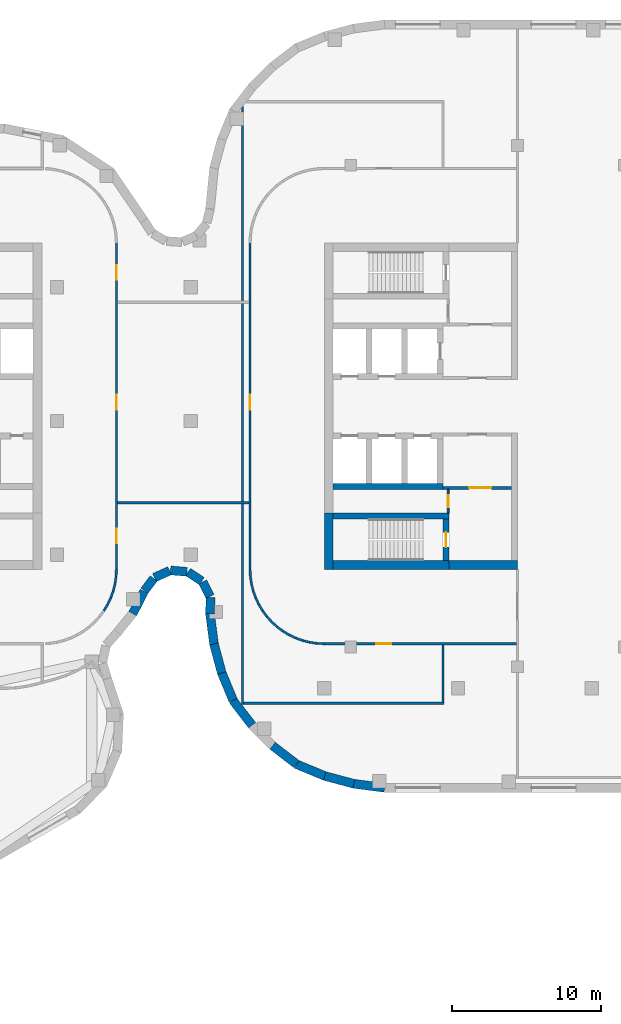
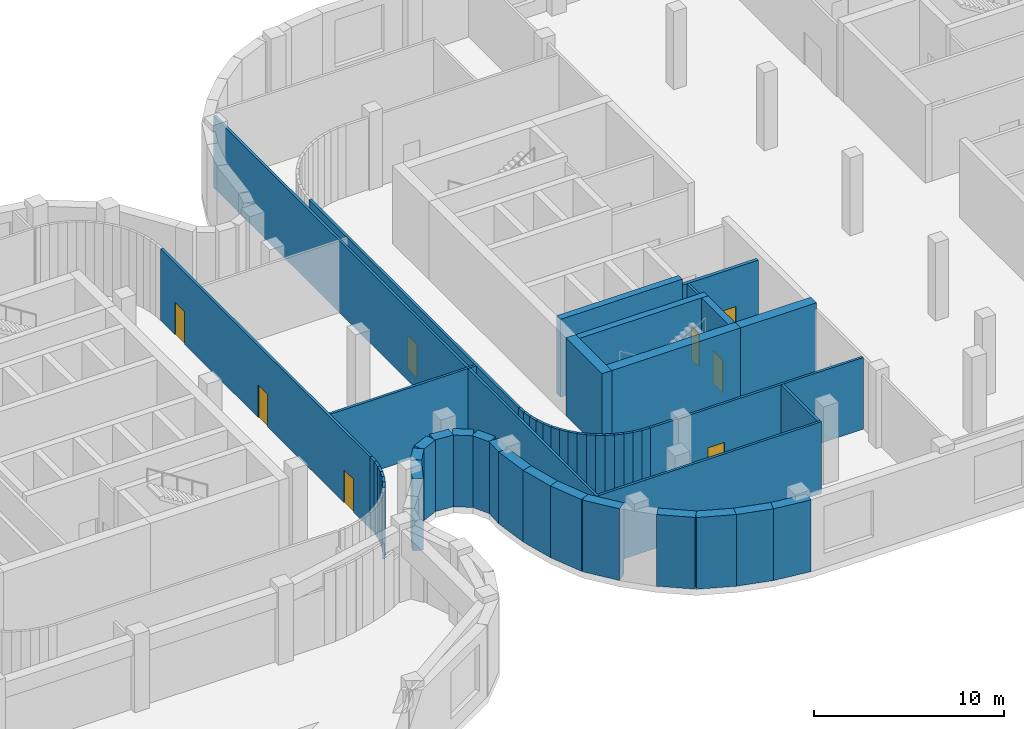
# One storey, part 10 of 20: 52 walls, 8 doors, 8 openings.
"""IFC4 building model written with IfcOpenShell, lengths in metres."""

from ifc_helpers import new_model, si_unit, direction, frame, frame_2d, origin, place, context, subcontext, project, spatial, rectangle, extrude, material, layer, layer_set, type_object, element, fill, save


model = new_model("IFC4")

# Units and contexts
model_context = context("Model", 3, precision=1e-05, world=origin(), true_north=direction((0.0, 1.0)))
body_context = subcontext(model_context, "Body", "Model", "MODEL_VIEW")
ifc_project = project(units=[si_unit("LENGTHUNIT", "METRE"), si_unit("AREAUNIT", "SQUARE_METRE"), si_unit("VOLUMEUNIT", "CUBIC_METRE"), si_unit("PLANEANGLEUNIT", "RADIAN"), si_unit("MASSUNIT", "GRAM", prefix="KILO")], contexts=[model_context])

# Site, building, storey
site_placement = place(None, origin())
site = spatial("IfcSite", under=ifc_project, at=site_placement, CompositionType="ELEMENT")
building_placement = place(site_placement, origin())
building = spatial("IfcBuilding", under=site, at=building_placement, Name="Skarvind Civic Tower", CompositionType="ELEMENT")
storey_placement = place(building_placement, frame((0.0, 0.0, 17.5)))
storey = spatial("IfcBuildingStorey", under=building, at=storey_placement, Name="L03", CompositionType="ELEMENT", Elevation=17.5)

# Wall, opening, door
ifc_material_1 = material(Name="Fire-rated masonry partition", Category="masonry")
ifc_layer_1 = layer(ifc_material_1, 0.199951171875)
ifc_layer_set_1 = layer_set([ifc_layer_1], Name="Core enclosure wall 200")
wall_type_1 = type_object("IfcWallType", Name="Core enclosure wall 200", PredefinedType="PARTITIONING", material=ifc_layer_set_1)
wall_1_placement = place(storey_placement, frame((139.60009765625, 122.5, 0.0), z_axis=(0.0, 0.0, 1.0), x_axis=(-1.0, 0.0, 0.0)))
wall_1 = element("IfcWall", 1, at=wall_1_placement, inside=storey, type_object=wall_type_1, Name="Core wall CA", PredefinedType="PARTITIONING", context=body_context, shape_type="SweptSolid", body=[
    extrude(rectangle(XDim=4.60009765625, YDim=0.199951171875, at=frame_2d((2.300048828125, 0.0))), origin(), (0.0, 0.0, 1.0), 4.60009765625),
])
opening_1_placement = place(wall_1_placement, frame((1.35009765625, 0.0, 0.0)))
opening_1 = element("IfcOpeningElement", 2, at=opening_1_placement, cuts=wall_1, Name="Opening D-L03-CA-11", PredefinedType="OPENING", context=body_context, shape_type="SweptSolid", body=[
    extrude(rectangle(XDim=1.5, YDim=2.10009765625, at=frame_2d((0.75, 1.050048828125))), frame((0.0, 0.10986328125, 0.0), z_axis=(0.0, -1.0, 0.0), x_axis=(1.0, 0.0, 0.0)), (0.0, 0.0, 1.0), 0.219970703125),
])
ifc_material_2 = material(Name="Fire-rated steel door", Category="steel")
door_type_1 = type_object("IfcDoorType", Name="Fire door 1500", OperationType="NOTDEFINED", PredefinedType="DOOR", material=ifc_material_2)
door_1_placement = place(opening_1_placement, origin())
door_1 = element("IfcDoor", 3, at=door_1_placement, inside=storey, type_object=door_type_1, Name="Fire door", OperationType="DOUBLE_DOOR_SINGLE_SWING", OverallHeight=2.10009765625, OverallWidth=1.5, PredefinedType="DOOR", context=body_context, shape_type="SweptSolid", body=[
    extrude(rectangle(XDim=1.5, YDim=2.10009765625, at=frame_2d((0.75, 1.050048828125))), frame((0.0, 0.02490234375, 0.0), z_axis=(0.0, -1.0, 0.0), x_axis=(1.0, 0.0, 0.0)), (0.0, 0.0, 1.0), 0.050048828125),
])
fill(opening_1, door_1)

# Wall
ifc_material_3 = material(Name="Concrete C80", Category="concrete")
ifc_layer_2 = layer(ifc_material_3, 0.39990234375)
ifc_layer_set_2 = layer_set([ifc_layer_2], Name="Core wall 400 C80")
wall_type_2 = type_object("IfcWallType", Name="Core wall 400 C80", PredefinedType="SHEAR", material=ifc_layer_set_2)
wall_2_placement = place(storey_placement, frame((127.60009765625, 120.60009765625, 0.0), z_axis=(0.0, 0.0, 1.0), x_axis=(1.0, 0.0, 0.0)))
element("IfcWall", 4, at=wall_2_placement, inside=storey, type_object=wall_type_2, Name="Core wall CA south stair inner L03", PredefinedType="SHEAR", context=body_context, shape_type="SweptSolid", body=[
    extrude(rectangle(XDim=7.7998046875, YDim=0.39990234375, at=frame_2d((3.89990234375, 0.0))), origin(), (0.0, 0.0, 1.0), 5.0),
])

# Wall, opening, door
wall_3_placement = place(storey_placement, frame((135.199951171875, 117.60009765625, 0.0), z_axis=(0.0, 0.0, 1.0), x_axis=(0.0, 1.0, 0.0)))
wall_3 = element("IfcWall", 5, at=wall_3_placement, inside=storey, type_object=wall_type_2, Name="Core wall CA south stair end L03", PredefinedType="SHEAR", context=body_context, shape_type="SweptSolid", body=[
    extrude(rectangle(XDim=2.7998046875, YDim=0.39990234375, at=frame_2d((1.39990234375, 0.0))), origin(), (0.0, 0.0, 1.0), 5.0),
])
opening_2_placement = place(wall_3_placement, frame((0.89990234375, 0.0, 0.0)))
opening_2 = element("IfcOpeningElement", 6, at=opening_2_placement, cuts=wall_3, Name="Opening D-L03-CA-12", PredefinedType="OPENING", context=body_context, shape_type="SweptSolid", body=[
    extrude(rectangle(XDim=1.0, YDim=2.10009765625, at=frame_2d((0.5, 1.050048828125))), frame((0.0, 0.2099609375, 0.0), z_axis=(0.0, -1.0, 0.0), x_axis=(1.0, 0.0, 0.0)), (0.0, 0.0, 1.0), 0.419921875),
])
door_type_2 = type_object("IfcDoorType", Name="Fire door 1000", OperationType="NOTDEFINED", PredefinedType="DOOR", material=ifc_material_2)
door_2_placement = place(opening_2_placement, origin())
door_2 = element("IfcDoor", 7, at=door_2_placement, inside=storey, type_object=door_type_2, Name="Fire door", OperationType="SINGLE_SWING_RIGHT", OverallHeight=2.10009765625, OverallWidth=1.0, PredefinedType="DOOR", context=body_context, shape_type="SweptSolid", body=[
    extrude(rectangle(XDim=1.0, YDim=2.10009765625, at=frame_2d((0.5, 1.050048828125))), frame((0.0, 0.02490234375, 0.0), z_axis=(0.0, -1.0, 0.0), x_axis=(1.0, 0.0, 0.0)), (0.0, 0.0, 1.0), 0.050048828125),
])
fill(opening_2, door_2)

# Walls
wall_4_placement = place(storey_placement, frame((127.60009765625, 122.60009765625, 0.0), z_axis=(0.0, 0.0, 1.0), x_axis=(1.0, 0.0, 0.0)))
element("IfcWall", 8, at=wall_4_placement, inside=storey, type_object=wall_type_2, Name="Core wall CA south lift row back L03", PredefinedType="SHEAR", context=body_context, shape_type="SweptSolid", body=[
    extrude(rectangle(XDim=7.39990234375, YDim=0.39990234375, at=frame_2d((3.699951171875, 0.0))), origin(), (0.0, 0.0, 1.0), 5.0),
])
ifc_layer_3 = layer(ifc_material_3, 0.60009765625)
ifc_layer_set_3 = layer_set([ifc_layer_3], Name="Core wall 600 C80")
wall_type_3 = type_object("IfcWallType", Name="Core wall 600 C80", PredefinedType="SHEAR", material=ifc_layer_set_3)
wall_5_placement = place(storey_placement, frame((127.300048828125, 117.0, 0.0), z_axis=(0.0, 0.0, 1.0), x_axis=(0.0, 1.0, 0.0)))
element("IfcWall", 9, at=wall_5_placement, inside=storey, type_object=wall_type_3, Name="Core wall CA tip at the south stair L03", PredefinedType="SHEAR", context=body_context, shape_type="SweptSolid", body=[
    extrude(rectangle(XDim=3.800048828125, YDim=0.60009765625, at=frame_2d((1.89990234375, 0.0))), origin(), (0.0, 0.0, 1.0), 5.0),
])
wall_6_placement = place(storey_placement, frame((127.60009765625, 117.300048828125, 0.0), z_axis=(0.0, 0.0, 1.0), x_axis=(1.0, 0.0, 0.0)))
element("IfcWall", 10, at=wall_6_placement, inside=storey, type_object=wall_type_3, Name="Core wall CA south side at the stair L03", PredefinedType="SHEAR", context=body_context, shape_type="SweptSolid", body=[
    extrude(rectangle(XDim=7.7998046875, YDim=0.60009765625, at=frame_2d((3.89990234375, 0.0))), origin(), (0.0, 0.0, 1.0), 5.0),
])
wall_7_placement = place(storey_placement, frame((135.39990234375, 117.300048828125, 0.0), z_axis=(0.0, 0.0, 1.0), x_axis=(1.0, 0.0, 0.0)))
element("IfcWall", 11, at=wall_7_placement, inside=storey, type_object=wall_type_3, Name="Core wall CA south side L03", PredefinedType="SHEAR", context=body_context, shape_type="SweptSolid", body=[
    extrude(rectangle(XDim=4.60009765625, YDim=0.60009765625, at=frame_2d((2.300048828125, 0.0))), origin(), (0.0, 0.0, 1.0), 5.0),
])
ifc_material_4 = material(Name="Plasterboard partition on steel studs", Category="steel")
ifc_layer_4 = layer(ifc_material_4, 0.14990234375)
ifc_layer_set_4 = layer_set([ifc_layer_4], Name="PARTITION 150")
wall_type_4 = type_object("IfcWallType", Name="PARTITION 150", PredefinedType="PARTITIONING", material=ifc_layer_set_4)
wall_8_placement = place(storey_placement, frame((112.155029296875, 114.218994140625, 0.0), z_axis=(0.0, 0.0, 1.0), x_axis=(0.515791778052, 0.85671397893, 0.0)))
element("IfcWall", 12, at=wall_8_placement, inside=storey, type_object=wall_type_4, Name="Podium partition L03 221", PredefinedType="PARTITIONING", context=body_context, shape_type="SweptSolid", body=[
    extrude(rectangle(XDim=0.49853515625, YDim=0.14990234375, at=frame_2d((0.249267578125, 0.0))), origin(), (0.0, 0.0, 1.0), 4.60009765625),
])
for number, where, z_axis, x_axis, name in (
    (13, (112.407958984375, 114.639892578125, 0.0), (0.0, 0.0, 1.0), (0.427896709028, 0.903827641978, 0.0), "Podium partition L03 223"),
    (14, (112.617919921875, 115.083984375, 0.0), (0.0, 0.0, 1.0), (0.3371744988, 0.941442168887, 0.0), "Podium partition L03 225"),
):
    element("IfcWall", number, at=place(storey_placement, frame(where, z_axis=z_axis, x_axis=x_axis)), inside=storey, type_object=wall_type_4, Name=name, PredefinedType="PARTITIONING", context=body_context, shape_type="SweptSolid", body=[
        extrude(rectangle(XDim=0.498046875, YDim=0.14990234375, at=frame_2d((0.2490234375, 0.0))), origin(), (0.0, 0.0, 1.0), 4.60009765625),
    ])
wall_9_placement = place(storey_placement, frame((112.783935546875, 115.544921875, 0.0), z_axis=(0.0, 0.0, 1.0), x_axis=(0.242650732785, 0.970113715952, 0.0)))
element("IfcWall", 15, at=wall_9_placement, inside=storey, type_object=wall_type_4, Name="Podium partition L03 227", PredefinedType="PARTITIONING", context=body_context, shape_type="SweptSolid", body=[
    extrude(rectangle(XDim=0.4990234375, YDim=0.14990234375, at=frame_2d((0.24951171875, 0.0))), origin(), (0.0, 0.0, 1.0), 4.60009765625),
])
wall_10_placement = place(storey_placement, frame((112.903076171875, 116.02099609375, 0.0), z_axis=(0.0, 0.0, 1.0), x_axis=(0.148412307247, 0.988925572052, 0.0)))
element("IfcWall", 16, at=wall_10_placement, inside=storey, type_object=wall_type_4, Name="Podium partition L03 229", PredefinedType="PARTITIONING", context=body_context, shape_type="SweptSolid", body=[
    extrude(rectangle(XDim=0.49853515625, YDim=0.14990234375, at=frame_2d((0.249267578125, 0.0))), origin(), (0.0, 0.0, 1.0), 4.60009765625),
])
wall_11_placement = place(storey_placement, frame((112.97607421875, 116.506103515625, 0.0), z_axis=(0.0, 0.0, 1.0), x_axis=(0.048196018647, 0.998837896651, 0.0)))
element("IfcWall", 17, at=wall_11_placement, inside=storey, type_object=wall_type_4, Name="Podium partition L03 231", PredefinedType="PARTITIONING", context=body_context, shape_type="SweptSolid", body=[
    extrude(rectangle(XDim=0.496337890625, YDim=0.14990234375, at=frame_2d((0.248046875, 0.0))), origin(), (0.0, 0.0, 1.0), 4.60009765625),
])

# Wall, openings, doors
wall_12_placement = place(storey_placement, frame((113.0, 139.001953125, 0.0), z_axis=(0.0, 0.0, 1.0), x_axis=(0.0, -1.0, 0.0)))
wall_12 = element("IfcWall", 18, at=wall_12_placement, inside=storey, type_object=wall_type_4, Name="Podium partition L03 233", PredefinedType="PARTITIONING", context=body_context, shape_type="SweptSolid", body=[
    extrude(rectangle(XDim=22.00390625, YDim=0.14990234375, at=frame_2d((11.001953125, 0.0))), origin(), (0.0, 0.0, 1.0), 4.60009765625),
])
opening_3_placement = place(wall_12_placement, frame((19.25, 0.0, 0.0)))
opening_3 = element("IfcOpeningElement", 19, at=opening_3_placement, cuts=wall_12, Name="Opening L03-D230", PredefinedType="OPENING", context=body_context, shape_type="SweptSolid", body=[
    extrude(rectangle(XDim=1.0, YDim=2.10009765625, at=frame_2d((0.5, 1.050048828125))), frame((0.0, 0.0849609375, 0.0), z_axis=(0.0, -1.0, 0.0), x_axis=(1.0, 0.0, 0.0)), (0.0, 0.0, 1.0), 0.169921875),
])
opening_4_placement = place(wall_12_placement, frame((10.251953125, 0.0, 0.0)))
opening_4 = element("IfcOpeningElement", 20, at=opening_4_placement, cuts=wall_12, Name="Opening L03-D231", PredefinedType="OPENING", context=body_context, shape_type="SweptSolid", body=[
    extrude(rectangle(XDim=1.0, YDim=2.10009765625, at=frame_2d((0.5, 1.050048828125))), frame((0.0, 0.0849609375, 0.0), z_axis=(0.0, -1.0, 0.0), x_axis=(1.0, 0.0, 0.0)), (0.0, 0.0, 1.0), 0.169921875),
])
opening_5_placement = place(wall_12_placement, frame((1.50390625, 0.0, 0.0)))
opening_5 = element("IfcOpeningElement", 21, at=opening_5_placement, cuts=wall_12, Name="Opening L03-D232", PredefinedType="OPENING", context=body_context, shape_type="SweptSolid", body=[
    extrude(rectangle(XDim=1.0, YDim=2.10009765625, at=frame_2d((0.5, 1.050048828125))), frame((0.0, 0.0849609375, 0.0), z_axis=(0.0, -1.0, 0.0), x_axis=(1.0, 0.0, 0.0)), (0.0, 0.0, 1.0), 0.169921875),
])
ifc_material_5 = material(Name="Timber veneer door leaf", Category="wood")
door_type_3 = type_object("IfcDoorType", Name="DOOR 1000X2100 TIMBER", OperationType="NOTDEFINED", PredefinedType="DOOR", material=ifc_material_5)
door_3_placement = place(opening_3_placement, origin())
door_3 = element("IfcDoor", 22, at=door_3_placement, inside=storey, type_object=door_type_3, Name="DOOR DOOR", OperationType="SINGLE_SWING_RIGHT", OverallHeight=2.10009765625, OverallWidth=1.0, PredefinedType="DOOR", context=body_context, shape_type="SweptSolid", body=[
    extrude(rectangle(XDim=1.0, YDim=2.10009765625, at=frame_2d((0.5, 1.050048828125))), frame((0.0, 0.02490234375, 0.0), z_axis=(0.0, -1.0, 0.0), x_axis=(1.0, 0.0, 0.0)), (0.0, 0.0, 1.0), 0.050048828125),
])
fill(opening_3, door_3)
door_4_placement = place(opening_4_placement, origin())
door_4 = element("IfcDoor", 23, at=door_4_placement, inside=storey, type_object=door_type_3, Name="DOOR DOOR", OperationType="SINGLE_SWING_LEFT", OverallHeight=2.10009765625, OverallWidth=1.0, PredefinedType="DOOR", context=body_context, shape_type="SweptSolid", body=[
    extrude(rectangle(XDim=1.0, YDim=2.10009765625, at=frame_2d((0.5, 1.050048828125))), frame((0.0, 0.02490234375, 0.0), z_axis=(0.0, -1.0, 0.0), x_axis=(1.0, 0.0, 0.0)), (0.0, 0.0, 1.0), 0.050048828125),
])
fill(opening_4, door_4)
door_5_placement = place(opening_5_placement, origin())
door_5 = element("IfcDoor", 24, at=door_5_placement, inside=storey, type_object=door_type_3, Name="DOOR DOOR", OperationType="SINGLE_SWING_RIGHT", OverallHeight=2.10009765625, OverallWidth=1.0, PredefinedType="DOOR", context=body_context, shape_type="SweptSolid", body=[
    extrude(rectangle(XDim=1.0, YDim=2.10009765625, at=frame_2d((0.5, 1.050048828125))), frame((0.0, 0.02490234375, 0.0), z_axis=(0.0, -1.0, 0.0), x_axis=(1.0, 0.0, 0.0)), (0.0, 0.0, 1.0), 0.050048828125),
])
fill(opening_5, door_5)

# Walls
wall_13_placement = place(storey_placement, frame((113.074951171875, 121.5, 0.0), z_axis=(0.0, 0.0, 1.0), x_axis=(1.0, 0.0, 0.0)))
element("IfcWall", 25, at=wall_13_placement, inside=storey, type_object=wall_type_4, Name="Podium partition L03 234", PredefinedType="PARTITIONING", context=body_context, shape_type="SweptSolid", body=[
    extrude(rectangle(XDim=8.85009765625, YDim=0.14990234375, at=frame_2d((4.425048828125, 0.0))), origin(), (0.0, 0.0, 1.0), 4.60009765625),
])
wall_14_placement = place(storey_placement, frame((121.5, 107.925048828125, 0.0), z_axis=(0.0, 0.0, 1.0), x_axis=(0.0, 1.0, 0.0)))
element("IfcWall", 26, at=wall_14_placement, inside=storey, type_object=wall_type_4, Name="Podium partition L03 236", PredefinedType="PARTITIONING", context=body_context, shape_type="SweptSolid", body=[
    extrude(rectangle(XDim=40.2470703125, YDim=0.14990234375, at=frame_2d((20.12353515625, 0.0))), origin(), (0.0, 0.0, 1.0), 4.60009765625),
])
wall_15_placement = place(storey_placement, frame((121.574951171875, 108.0, 0.0), z_axis=(0.0, 0.0, 1.0), x_axis=(1.0, 0.0, 0.0)))
element("IfcWall", 27, at=wall_15_placement, inside=storey, type_object=wall_type_4, Name="Podium partition L03 237", PredefinedType="PARTITIONING", context=body_context, shape_type="SweptSolid", body=[
    extrude(rectangle(XDim=13.5, YDim=0.14990234375, at=frame_2d((6.75, 0.0))), origin(), (0.0, 0.0, 1.0), 4.60009765625),
])

# Wall, opening, door
wall_16_placement = place(storey_placement, frame((122.0, 139.001953125, 0.0), z_axis=(0.0, 0.0, 1.0), x_axis=(0.0, -1.0, 0.0)))
wall_16 = element("IfcWall", 28, at=wall_16_placement, inside=storey, type_object=wall_type_4, Name="Podium partition L03 239", PredefinedType="PARTITIONING", context=body_context, shape_type="SweptSolid", body=[
    extrude(rectangle(XDim=22.00390625, YDim=0.14990234375, at=frame_2d((11.001953125, 0.0))), origin(), (0.0, 0.0, 1.0), 4.60009765625),
])
opening_6_placement = place(wall_16_placement, frame((10.251953125, 0.0, 0.0)))
opening_6 = element("IfcOpeningElement", 29, at=opening_6_placement, cuts=wall_16, Name="Opening L03-D233", PredefinedType="OPENING", context=body_context, shape_type="SweptSolid", body=[
    extrude(rectangle(XDim=1.0, YDim=2.10009765625, at=frame_2d((0.5, 1.050048828125))), frame((0.0, 0.0849609375, 0.0), z_axis=(0.0, -1.0, 0.0), x_axis=(1.0, 0.0, 0.0)), (0.0, 0.0, 1.0), 0.169921875),
])
door_6_placement = place(opening_6_placement, origin())
door_6 = element("IfcDoor", 30, at=door_6_placement, inside=storey, type_object=door_type_3, Name="DOOR DOOR", OperationType="SINGLE_SWING_LEFT", OverallHeight=2.10009765625, OverallWidth=1.0, PredefinedType="DOOR", context=body_context, shape_type="SweptSolid", body=[
    extrude(rectangle(XDim=1.0, YDim=2.10009765625, at=frame_2d((0.5, 1.050048828125))), frame((0.0, 0.02490234375, 0.0), z_axis=(0.0, -1.0, 0.0), x_axis=(1.0, 0.0, 0.0)), (0.0, 0.0, 1.0), 0.050048828125),
])
fill(opening_6, door_6)

# Walls
wall_17_placement = place(storey_placement, frame((122.0, 117.001953125, 0.0), z_axis=(0.0, 0.0, 1.0), x_axis=(0.048196018647, -0.998837896651, 0.0)))
element("IfcWall", 31, at=wall_17_placement, inside=storey, type_object=wall_type_4, Name="Podium partition L03 240", PredefinedType="PARTITIONING", context=body_context, shape_type="SweptSolid", body=[
    extrude(rectangle(XDim=0.496337890625, YDim=0.14990234375, at=frame_2d((0.248046875, 0.0))), origin(), (0.0, 0.0, 1.0), 4.60009765625),
])
wall_18_placement = place(storey_placement, frame((122.02294921875, 116.513916015625, 0.0), z_axis=(0.0, 0.0, 1.0), x_axis=(0.148412307247, -0.988925572052, 0.0)))
element("IfcWall", 32, at=wall_18_placement, inside=storey, type_object=wall_type_4, Name="Podium partition L03 242", PredefinedType="PARTITIONING", context=body_context, shape_type="SweptSolid", body=[
    extrude(rectangle(XDim=0.49853515625, YDim=0.14990234375, at=frame_2d((0.249267578125, 0.0))), origin(), (0.0, 0.0, 1.0), 4.60009765625),
])
wall_19_placement = place(storey_placement, frame((122.094970703125, 116.029052734375, 0.0), z_axis=(0.0, 0.0, 1.0), x_axis=(0.242650732785, -0.970113715952, 0.0)))
element("IfcWall", 33, at=wall_19_placement, inside=storey, type_object=wall_type_4, Name="Podium partition L03 244", PredefinedType="PARTITIONING", context=body_context, shape_type="SweptSolid", body=[
    extrude(rectangle(XDim=0.4990234375, YDim=0.14990234375, at=frame_2d((0.24951171875, 0.0))), origin(), (0.0, 0.0, 1.0), 4.60009765625),
])
for number, where, z_axis, x_axis, name in (
    (34, (122.214111328125, 115.552978515625, 0.0), (0.0, 0.0, 1.0), (0.3371744988, -0.941442168887, 0.0), "Podium partition L03 246"),
    (35, (122.37890625, 115.090087890625, 0.0), (0.0, 0.0, 1.0), (0.427896709028, -0.903827641978, 0.0), "Podium partition L03 248"),
):
    element("IfcWall", number, at=place(storey_placement, frame(where, z_axis=z_axis, x_axis=x_axis)), inside=storey, type_object=wall_type_4, Name=name, PredefinedType="PARTITIONING", context=body_context, shape_type="SweptSolid", body=[
        extrude(rectangle(XDim=0.498046875, YDim=0.14990234375, at=frame_2d((0.2490234375, 0.0))), origin(), (0.0, 0.0, 1.0), 4.60009765625),
    ])
wall_20_placement = place(storey_placement, frame((122.587890625, 114.64599609375, 0.0), z_axis=(0.0, 0.0, 1.0), x_axis=(0.515791778052, -0.85671397893, 0.0)))
element("IfcWall", 36, at=wall_20_placement, inside=storey, type_object=wall_type_4, Name="Podium partition L03 250", PredefinedType="PARTITIONING", context=body_context, shape_type="SweptSolid", body=[
    extrude(rectangle(XDim=0.49853515625, YDim=0.14990234375, at=frame_2d((0.249267578125, 0.0))), origin(), (0.0, 0.0, 1.0), 4.60009765625),
])
wall_21_placement = place(storey_placement, frame((122.841064453125, 114.22509765625, 0.0), z_axis=(0.0, 0.0, 1.0), x_axis=(0.594570362092, -0.80404358372, 0.0)))
element("IfcWall", 37, at=wall_21_placement, inside=storey, type_object=wall_type_4, Name="Podium partition L03 252", PredefinedType="PARTITIONING", context=body_context, shape_type="SweptSolid", body=[
    extrude(rectangle(XDim=0.49755859375, YDim=0.14990234375, at=frame_2d((0.248779296875, 0.0))), origin(), (0.0, 0.0, 1.0), 4.60009765625),
])
for number, where, z_axis, x_axis, name in (
    (38, (123.133056640625, 113.8310546875, 0.0), (0.0, 0.0, 1.0), (0.66993818776, -0.742416880587, 0.0), "Podium partition L03 254"),
    (39, (123.4609375, 113.467041015625, 0.0), (0.0, 0.0, 1.0), (0.742416880587, -0.66993818776, 0.0), "Podium partition L03 256"),
):
    element("IfcWall", number, at=place(storey_placement, frame(where, z_axis=z_axis, x_axis=x_axis)), inside=storey, type_object=wall_type_4, Name=name, PredefinedType="PARTITIONING", context=body_context, shape_type="SweptSolid", body=[
        extrude(rectangle(XDim=0.49853515625, YDim=0.14990234375, at=frame_2d((0.249267578125, 0.0))), origin(), (0.0, 0.0, 1.0), 4.60009765625),
    ])
wall_22_placement = place(storey_placement, frame((123.824951171875, 113.136962890625, 0.0), z_axis=(0.0, 0.0, 1.0), x_axis=(0.80404358372, -0.594570362092, 0.0)))
element("IfcWall", 40, at=wall_22_placement, inside=storey, type_object=wall_type_4, Name="Podium partition L03 258", PredefinedType="PARTITIONING", context=body_context, shape_type="SweptSolid", body=[
    extrude(rectangle(XDim=0.49755859375, YDim=0.14990234375, at=frame_2d((0.248779296875, 0.0))), origin(), (0.0, 0.0, 1.0), 4.60009765625),
])
wall_23_placement = place(storey_placement, frame((124.218994140625, 112.844970703125, 0.0), z_axis=(0.0, 0.0, 1.0), x_axis=(0.85671397893, -0.515791778052, 0.0)))
element("IfcWall", 41, at=wall_23_placement, inside=storey, type_object=wall_type_4, Name="Podium partition L03 260", PredefinedType="PARTITIONING", context=body_context, shape_type="SweptSolid", body=[
    extrude(rectangle(XDim=0.49853515625, YDim=0.14990234375, at=frame_2d((0.249267578125, 0.0))), origin(), (0.0, 0.0, 1.0), 4.60009765625),
])
for number, where, z_axis, x_axis, name in (
    (42, (124.639892578125, 112.592041015625, 0.0), (0.0, 0.0, 1.0), (0.903827641978, -0.427896709028, 0.0), "Podium partition L03 262"),
    (43, (125.083984375, 112.382080078125, 0.0), (0.0, 0.0, 1.0), (0.941442168887, -0.3371744988, 0.0), "Podium partition L03 264"),
):
    element("IfcWall", number, at=place(storey_placement, frame(where, z_axis=z_axis, x_axis=x_axis)), inside=storey, type_object=wall_type_4, Name=name, PredefinedType="PARTITIONING", context=body_context, shape_type="SweptSolid", body=[
        extrude(rectangle(XDim=0.498046875, YDim=0.14990234375, at=frame_2d((0.2490234375, 0.0))), origin(), (0.0, 0.0, 1.0), 4.60009765625),
    ])
wall_24_placement = place(storey_placement, frame((125.544921875, 112.216064453125, 0.0), z_axis=(0.0, 0.0, 1.0), x_axis=(0.970113715952, -0.242650732785, 0.0)))
element("IfcWall", 44, at=wall_24_placement, inside=storey, type_object=wall_type_4, Name="Podium partition L03 266", PredefinedType="PARTITIONING", context=body_context, shape_type="SweptSolid", body=[
    extrude(rectangle(XDim=0.4990234375, YDim=0.14990234375, at=frame_2d((0.24951171875, 0.0))), origin(), (0.0, 0.0, 1.0), 4.60009765625),
])
wall_25_placement = place(storey_placement, frame((126.02099609375, 112.096923828125, 0.0), z_axis=(0.0, 0.0, 1.0), x_axis=(0.988925572052, -0.148412307247, 0.0)))
element("IfcWall", 45, at=wall_25_placement, inside=storey, type_object=wall_type_4, Name="Podium partition L03 268", PredefinedType="PARTITIONING", context=body_context, shape_type="SweptSolid", body=[
    extrude(rectangle(XDim=0.49853515625, YDim=0.14990234375, at=frame_2d((0.249267578125, 0.0))), origin(), (0.0, 0.0, 1.0), 4.60009765625),
])
wall_26_placement = place(storey_placement, frame((126.506103515625, 112.02392578125, 0.0), z_axis=(0.0, 0.0, 1.0), x_axis=(0.998837896651, -0.048196018647, 0.0)))
element("IfcWall", 46, at=wall_26_placement, inside=storey, type_object=wall_type_4, Name="Podium partition L03 270", PredefinedType="PARTITIONING", context=body_context, shape_type="SweptSolid", body=[
    extrude(rectangle(XDim=0.496337890625, YDim=0.14990234375, at=frame_2d((0.248046875, 0.0))), origin(), (0.0, 0.0, 1.0), 4.60009765625),
])

# Wall, opening, door
wall_27_placement = place(storey_placement, frame((139.925048828125, 112.0, 0.0), z_axis=(0.0, 0.0, 1.0), x_axis=(-1.0, 0.0, 0.0)))
wall_27 = element("IfcWall", 47, at=wall_27_placement, inside=storey, type_object=wall_type_4, Name="Podium partition L03 272", PredefinedType="PARTITIONING", context=body_context, shape_type="SweptSolid", body=[
    extrude(rectangle(XDim=12.927001953125, YDim=0.14990234375, at=frame_2d((6.46337890625, 0.0))), origin(), (0.0, 0.0, 1.0), 4.60009765625),
])
opening_7_placement = place(wall_27_placement, frame((8.423095703125, 0.0, 0.0)))
opening_7 = element("IfcOpeningElement", 48, at=opening_7_placement, cuts=wall_27, Name="Opening L03-D234", PredefinedType="OPENING", context=body_context, shape_type="SweptSolid", body=[
    extrude(rectangle(XDim=1.0, YDim=2.10009765625, at=frame_2d((0.5, 1.050048828125))), frame((0.0, 0.0849609375, 0.0), z_axis=(0.0, -1.0, 0.0), x_axis=(1.0, 0.0, 0.0)), (0.0, 0.0, 1.0), 0.169921875),
])
door_7_placement = place(opening_7_placement, origin())
door_7 = element("IfcDoor", 49, at=door_7_placement, inside=storey, type_object=door_type_3, Name="DOOR DOOR", OperationType="SINGLE_SWING_LEFT", OverallHeight=2.10009765625, OverallWidth=1.0, PredefinedType="DOOR", context=body_context, shape_type="SweptSolid", body=[
    extrude(rectangle(XDim=1.0, YDim=2.10009765625, at=frame_2d((0.5, 1.050048828125))), frame((0.0, 0.02490234375, 0.0), z_axis=(0.0, -1.0, 0.0), x_axis=(1.0, 0.0, 0.0)), (0.0, 0.0, 1.0), 0.050048828125),
])
fill(opening_7, door_7)

# Wall
wall_28_placement = place(storey_placement, frame((135.0, 108.074951171875, 0.0), z_axis=(0.0, 0.0, 1.0), x_axis=(0.0, 1.0, 0.0)))
element("IfcWall", 50, at=wall_28_placement, inside=storey, type_object=wall_type_4, Name="Podium partition L03 274", PredefinedType="PARTITIONING", context=body_context, shape_type="SweptSolid", body=[
    extrude(rectangle(XDim=3.85009765625, YDim=0.14990234375, at=frame_2d((1.925048828125, 0.0))), origin(), (0.0, 0.0, 1.0), 4.60009765625),
])

# Wall, opening, door
ifc_layer_5 = layer(ifc_material_1, 0.125)
ifc_layer_set_5 = layer_set([ifc_layer_5], Name="Riser wall 125")
wall_type_5 = type_object("IfcWallType", Name="Riser wall 125", PredefinedType="PARTITIONING", material=ifc_layer_set_5)
wall_29_placement = place(storey_placement, frame((135.33740234375, 122.39990234375, 0.0), z_axis=(0.0, 0.0, 1.0), x_axis=(0.0, -1.0, 0.0)))
wall_29 = element("IfcWall", 51, at=wall_29_placement, inside=storey, type_object=wall_type_5, Name="Core wall CA", PredefinedType="PARTITIONING", context=body_context, shape_type="SweptSolid", body=[
    extrude(rectangle(XDim=1.599853515625, YDim=0.125, at=frame_2d((0.7998046875, 0.0))), origin(), (0.0, 0.0, 1.0), 4.60009765625),
])
opening_8_placement = place(wall_29_placement, frame((0.39990234375, 0.0, 0.0)))
opening_8 = element("IfcOpeningElement", 52, at=opening_8_placement, cuts=wall_29, Name="Opening D-L03-CA-13", PredefinedType="OPENING", context=body_context, shape_type="SweptSolid", body=[
    extrude(rectangle(XDim=0.800048828125, YDim=2.10009765625, at=frame_2d((0.39990234375, 1.050048828125))), frame((0.0, 0.072509765625, 0.0), z_axis=(0.0, -1.0, 0.0), x_axis=(1.0, 0.0, 0.0)), (0.0, 0.0, 1.0), 0.14501953125),
])
door_type_4 = type_object("IfcDoorType", Name="Core riser door 800", OperationType="NOTDEFINED", PredefinedType="DOOR", material=ifc_material_2)
door_8_placement = place(opening_8_placement, origin())
door_8 = element("IfcDoor", 53, at=door_8_placement, inside=storey, type_object=door_type_4, Name="Riser door", OperationType="SINGLE_SWING_LEFT", OverallHeight=2.10009765625, OverallWidth=0.800048828125, PredefinedType="DOOR", context=body_context, shape_type="SweptSolid", body=[
    extrude(rectangle(XDim=0.800048828125, YDim=2.10009765625, at=frame_2d((0.39990234375, 1.050048828125))), frame((0.0, 0.02490234375, 0.0), z_axis=(0.0, -1.0, 0.0), x_axis=(1.0, 0.0, 0.0)), (0.0, 0.0, 1.0), 0.050048828125),
])
fill(opening_8, door_8)

# Walls
ifc_material_6 = material(Name="Limestone masonry cladding on insulated backing", Category="masonry")
ifc_layer_6 = layer(ifc_material_6, 0.60009765625)
ifc_layer_set_6 = layer_set([ifc_layer_6], Name="WX1 STONE FACADE WALL 600")
wall_type_6 = type_object("IfcWallType", Name="WX1 STONE FACADE WALL 600", PredefinedType="SOLIDWALL", material=ifc_layer_set_6)
wall_30_placement = place(storey_placement, frame((114.865478515625, 115.524658203125, 0.0), z_axis=(0.0, 0.0, 1.0), x_axis=(-0.454203210797, -0.890898110505, 0.0)))
element("IfcWall", 54, at=wall_30_placement, inside=storey, type_object=wall_type_6, Name="STONE FACADE WALL", PredefinedType="SOLIDWALL", context=body_context, shape_type="SweptSolid", body=[
    extrude(rectangle(XDim=1.687255859375, YDim=0.60009765625, at=frame_2d((0.84375, 0.0))), origin(), (0.0, 0.0, 1.0), 4.60009765625),
])
wall_31_placement = place(storey_placement, frame((115.5166015625, 116.39990234375, 0.0), z_axis=(0.0, 0.0, 1.0), x_axis=(-0.60018790921, -0.799859033604, 0.0)))
element("IfcWall", 55, at=wall_31_placement, inside=storey, type_object=wall_type_6, Name="STONE FACADE WALL", PredefinedType="SOLIDWALL", context=body_context, shape_type="SweptSolid", body=[
    extrude(rectangle(XDim=1.039306640625, YDim=0.60009765625, at=frame_2d((0.51953125, 0.0))), origin(), (0.0, 0.0, 1.0), 4.60009765625),
])
for number, where, z_axis, x_axis, name in (
    (56, (116.5771484375, 116.91015625, 0.0), (0.0, 0.0, 1.0), (-0.912911040257, -0.408158587533, 0.0), "STONE FACADE WALL"),
    (57, (117.751953125, 116.841552734375, 0.0), (0.0, 0.0, 1.0), (-0.996273540208, 0.086249829453, 0.0), "STONE FACADE WALL"),
):
    element("IfcWall", number, at=place(storey_placement, frame(where, z_axis=z_axis, x_axis=x_axis)), inside=storey, type_object=wall_type_6, Name=name, PredefinedType="SOLIDWALL", context=body_context, shape_type="SweptSolid", body=[
        extrude(rectangle(XDim=1.109619140625, YDim=0.60009765625, at=frame_2d((0.5546875, 0.0))), origin(), (0.0, 0.0, 1.0), 4.60009765625),
    ])
for number, where, z_axis, x_axis, name in (
    (58, (118.74560546875, 116.211181640625, 0.0), (0.0, 0.0, 1.0), (-0.829195474535, 0.558958732834, 0.0), "STONE FACADE WALL"),
    (59, (119.308837890625, 115.177978515625, 0.0), (0.0, 0.0, 1.0), (-0.453803794189, 0.891101630781, 0.0), "STONE FACADE WALL"),
):
    element("IfcWall", number, at=place(storey_placement, frame(where, z_axis=z_axis, x_axis=x_axis)), inside=storey, type_object=wall_type_6, Name=name, PredefinedType="SOLIDWALL", context=body_context, shape_type="SweptSolid", body=[
        extrude(rectangle(XDim=1.109375, YDim=0.60009765625, at=frame_2d((0.5546875, 0.0))), origin(), (0.0, 0.0, 1.0), 4.60009765625),
    ])
wall_32_placement = place(storey_placement, frame((119.30029296875, 114.02099609375, 0.0), z_axis=(0.0, 0.0, 1.0), x_axis=(0.035627591166, 0.999365135848, 0.0)))
element("IfcWall", 60, at=wall_32_placement, inside=storey, type_object=wall_type_6, Name="STONE FACADE WALL", PredefinedType="SOLIDWALL", context=body_context, shape_type="SweptSolid", body=[
    extrude(rectangle(XDim=1.089599609375, YDim=0.60009765625, at=frame_2d((0.544921875, 0.0))), origin(), (0.0, 0.0, 1.0), 4.60009765625),
])
wall_33_placement = place(storey_placement, frame((119.57568359375, 111.947509765625, 0.0), z_axis=(0.0, 0.0, 1.0), x_axis=(-0.130558200013, 0.991440646942, 0.0)))
element("IfcWall", 61, at=wall_33_placement, inside=storey, type_object=wall_type_6, Name="STONE FACADE WALL", PredefinedType="SOLIDWALL", context=body_context, shape_type="SweptSolid", body=[
    extrude(rectangle(XDim=2.1318359375, YDim=0.60009765625, at=frame_2d((1.06591796875, 0.0))), origin(), (0.0, 0.0, 1.0), 4.60009765625),
])
wall_34_placement = place(storey_placement, frame((120.091552734375, 110.032470703125, 0.0), z_axis=(0.0, 0.0, 1.0), x_axis=(-0.258804467146, 0.965929732323, 0.0)))
element("IfcWall", 62, at=wall_34_placement, inside=storey, type_object=wall_type_6, Name="STONE FACADE WALL", PredefinedType="SOLIDWALL", context=body_context, shape_type="SweptSolid", body=[
    extrude(rectangle(XDim=2.0224609375, YDim=0.60009765625, at=frame_2d((1.01123046875, 0.0))), origin(), (0.0, 0.0, 1.0), 4.60009765625),
])
wall_35_placement = place(storey_placement, frame((120.8603515625, 108.1806640625, 0.0), z_axis=(0.0, 0.0, 1.0), x_axis=(-0.382341242798, 0.924021197839, 0.0)))
element("IfcWall", 63, at=wall_35_placement, inside=storey, type_object=wall_type_6, Name="STONE FACADE WALL", PredefinedType="SOLIDWALL", context=body_context, shape_type="SweptSolid", body=[
    extrude(rectangle(XDim=2.0439453125, YDim=0.60009765625, at=frame_2d((1.02197265625, 0.0))), origin(), (0.0, 0.0, 1.0), 4.60009765625),
])
wall_36_placement = place(storey_placement, frame((122.135498046875, 106.50732421875, 0.0), z_axis=(0.0, 0.0, 1.0), x_axis=(-0.609052002567, 0.79313029079, 0.0)))
element("IfcWall", 64, at=wall_36_placement, inside=storey, type_object=wall_type_6, Name="STONE FACADE WALL", PredefinedType="SOLIDWALL", context=body_context, shape_type="SweptSolid", body=[
    extrude(rectangle(XDim=2.114013671875, YDim=0.60009765625, at=frame_2d((1.05712890625, 0.0))), origin(), (0.0, 0.0, 1.0), 4.60009765625),
])
wall_37_placement = place(storey_placement, frame((125.12841796875, 103.890625, 0.0), z_axis=(0.0, 0.0, 1.0), x_axis=(-0.793125485267, 0.609058260448, 0.0)))
element("IfcWall", 65, at=wall_37_placement, inside=storey, type_object=wall_type_6, Name="STONE FACADE WALL", PredefinedType="SOLIDWALL", context=body_context, shape_type="SweptSolid", body=[
    extrude(rectangle(XDim=2.0439453125, YDim=0.60009765625, at=frame_2d((1.02197265625, 0.0))), origin(), (0.0, 0.0, 1.0), 4.60009765625),
])
wall_38_placement = place(storey_placement, frame((127.0693359375, 103.078857421875, 0.0), z_axis=(0.0, 0.0, 1.0), x_axis=(-0.924006983526, 0.382375593358, 0.0)))
element("IfcWall", 66, at=wall_38_placement, inside=storey, type_object=wall_type_6, Name="STONE FACADE WALL", PredefinedType="SOLIDWALL", context=body_context, shape_type="SweptSolid", body=[
    extrude(rectangle(XDim=2.114013671875, YDim=0.60009765625, at=frame_2d((1.05712890625, 0.0))), origin(), (0.0, 0.0, 1.0), 4.60009765625),
])
wall_39_placement = place(storey_placement, frame((128.986083984375, 102.568115234375, 0.0), z_axis=(0.0, 0.0, 1.0), x_axis=(-0.965929732323, 0.258804467146, 0.0)))
element("IfcWall", 67, at=wall_39_placement, inside=storey, type_object=wall_type_6, Name="STONE FACADE WALL", PredefinedType="SOLIDWALL", context=body_context, shape_type="SweptSolid", body=[
    extrude(rectangle(XDim=2.0224609375, YDim=0.60009765625, at=frame_2d((1.01123046875, 0.0))), origin(), (0.0, 0.0, 1.0), 4.60009765625),
])
wall_40_placement = place(storey_placement, frame((131.06103515625, 102.29736328125, 0.0), z_axis=(0.0, 0.0, 1.0), x_axis=(-0.991440646942, 0.130558200013, 0.0)))
element("IfcWall", 68, at=wall_40_placement, inside=storey, type_object=wall_type_6, Name="STONE FACADE WALL", PredefinedType="SOLIDWALL", context=body_context, shape_type="SweptSolid", body=[
    extrude(rectangle(XDim=2.1318359375, YDim=0.60009765625, at=frame_2d((1.06591796875, 0.0))), origin(), (0.0, 0.0, 1.0), 4.60009765625),
])

save(model, "model.ifc")
